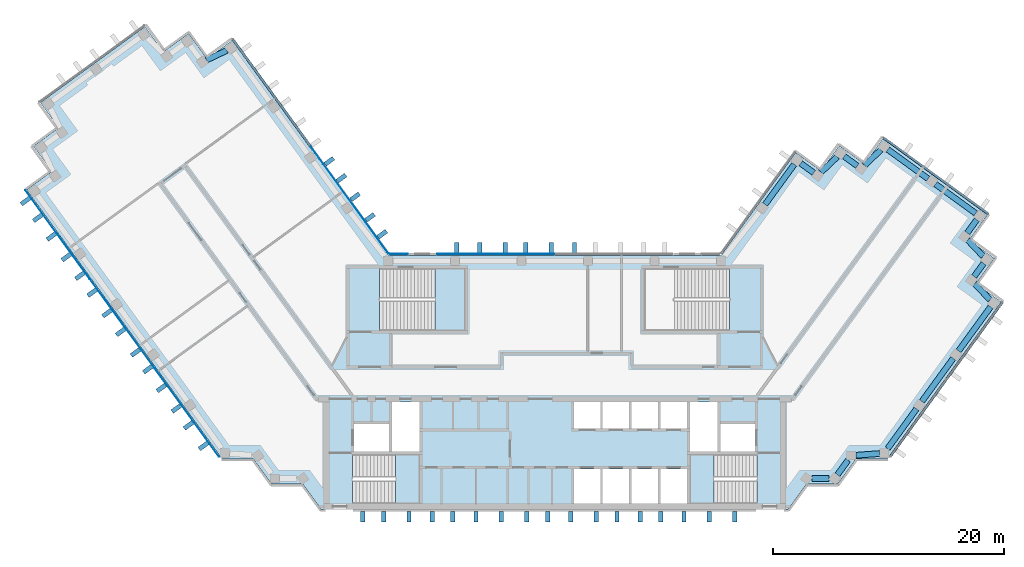
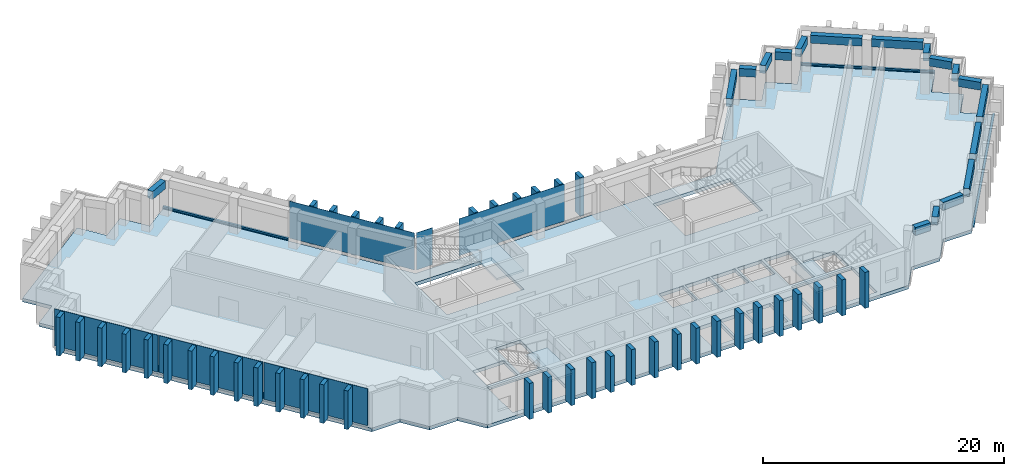
"""IFC4 building model written with IfcOpenShell, lengths in metres."""

from ifc_helpers import new_model, si_unit, direction, frame, origin, origin_2d, place, context, subcontext, project, spatial, polyline, rectangle, outline, extrude, material, layer, layer_set, material_profile, profile_set, type_object, element, aggregate, save


model = new_model("IFC4")

# Units and contexts
model_context = context("Model", 3, precision=1e-05, world=origin(), true_north=direction((0.0, 1.0)))
body_context = subcontext(model_context, "Body", "Model", "MODEL_VIEW")
ifc_project = project(units=[si_unit("LENGTHUNIT", "METRE"), si_unit("AREAUNIT", "SQUARE_METRE"), si_unit("VOLUMEUNIT", "CUBIC_METRE"), si_unit("PLANEANGLEUNIT", "RADIAN"), si_unit("MASSUNIT", "GRAM", prefix="KILO")], contexts=[model_context])

# Site, building, storey
site_placement = place(None, origin())
site = spatial("IfcSite", under=ifc_project, at=site_placement, CompositionType="ELEMENT")
building_placement = place(site_placement, origin())
building = spatial("IfcBuilding", under=site, at=building_placement, Name="Quipu Civic Tower", CompositionType="ELEMENT")
storey_1_placement = place(building_placement, frame((0.0, 0.0, 218.0)))
storey_1 = spatial("IfcBuildingStorey", under=building, at=storey_1_placement, Name="L51", CompositionType="ELEMENT", Elevation=218.0)

# Beams
ifc_material_1 = material(Name="Concrete C50/60", Category="concrete")
ifc_material_profile_1 = material_profile(ifc_material_1, rectangle(XDim=0.5, YDim=0.800048828125, at=origin_2d()), Name="RC500x800")
ifc_profile_set_1 = profile_set([ifc_material_profile_1], Name="Concrete C50/60")
beam_type = type_object("IfcBeamType", Name="Spandrel beam RC 500x800 C50/60", PredefinedType="SPANDREL", material=ifc_profile_set_1)
beam_1_placement = place(storey_1_placement, frame((-28.38720703125, 28.72998046875, 3.25), z_axis=(-0.902584802379, -0.430512107279, 0.0), x_axis=(0.430512107279, -0.902584802379, 0.0)))
element("IfcBeam", 1, at=beam_1_placement, inside=storey_1, type_object=beam_type, Name="Spandrel beam L51 T-Wi.0-W34 to T-Wi.1-W34", PredefinedType="SPANDREL", context=body_context, shape_type="SweptSolid", body=[
    extrude(rectangle(XDim=0.5, YDim=0.800048828125, at=origin_2d()), origin(), (0.0, 0.0, 1.0), 1.9326171875),
])
beam_2_placement = place(storey_1_placement, frame((22.2861328125, -8.31494140625, 3.25), z_axis=(1.0, 0.0, 0.0), x_axis=(0.0, 1.0, 0.0)))
element("IfcBeam", 2, at=beam_2_placement, inside=storey_1, type_object=beam_type, Name="Spandrel beam L51 J-Eo.1 to J-Eo.2", PredefinedType="SPANDREL", context=body_context, shape_type="SweptSolid", body=[
    extrude(rectangle(XDim=0.5, YDim=0.800048828125, at=origin_2d()), origin(), (0.0, 0.0, 1.0), 1.454345703125),
])
beam_3_placement = place(storey_1_placement, frame((24.470458984375, -7.991455078125, 3.25), z_axis=(0.588405601119, 0.808565920981, 0.0), x_axis=(-0.808565920981, 0.588405601119, 0.0)))
element("IfcBeam", 3, at=beam_3_placement, inside=storey_1, type_object=beam_type, Name="Spandrel beam L51 J-Eo.2 to J-Eo.3", PredefinedType="SPANDREL", context=body_context, shape_type="SweptSolid", body=[
    extrude(rectangle(XDim=0.5, YDim=0.800048828125, at=origin_2d()), origin(), (0.0, 0.0, 1.0), 1.55126953125),
])
beam_4_placement = place(storey_1_placement, frame((26.074462890625, -6.307861328125, 3.25), z_axis=(0.997372997143, 0.072436900614, 0.0), x_axis=(-0.072436900614, 0.997372997143, 0.0)))
element("IfcBeam", 4, at=beam_4_placement, inside=storey_1, type_object=beam_type, Name="Spandrel beam L51 J-Eo.3 to J-Eo.4", PredefinedType="SPANDREL", context=body_context, shape_type="SweptSolid", body=[
    extrude(rectangle(XDim=0.5, YDim=0.800048828125, at=origin_2d()), origin(), (0.0, 0.0, 1.0), 2.055908203125),
])
beam_5_placement = place(storey_1_placement, frame((28.815673828125, -5.72998046875, 3.25), z_axis=(0.58776850526, 0.809029161541, 0.0), x_axis=(-0.809029161541, 0.58776850526, 0.0)))
element("IfcBeam", 5, at=beam_5_placement, inside=storey_1, type_object=beam_type, Name="Spandrel beam L51 J-Eo.4 to E-OUT-01", PredefinedType="SPANDREL", context=body_context, shape_type="SweptSolid", body=[
    extrude(rectangle(XDim=0.5, YDim=0.800048828125, at=origin_2d()), origin(), (0.0, 0.0, 1.0), 4.249267578125),
])
beam_6_placement = place(storey_1_placement, frame((31.783447265625, -1.64501953125, 3.25), z_axis=(0.587796098864, 0.809009113768, 0.0), x_axis=(-0.809009113768, 0.587796098864, 0.0)))
element("IfcBeam", 6, at=beam_6_placement, inside=storey_1, type_object=beam_type, Name="Spandrel beam L51 E-OUT-01 to E-OUT-02", PredefinedType="SPANDREL", context=body_context, shape_type="SweptSolid", body=[
    extrude(rectangle(XDim=0.5, YDim=0.800048828125, at=origin_2d()), origin(), (0.0, 0.0, 1.0), 4.60009765625),
])
beam_7_placement = place(storey_1_placement, frame((34.95751953125, 2.7236328125, 3.25), z_axis=(0.587891029962, 0.808940131833, 0.0), x_axis=(-0.808940131833, 0.587891029962, 0.0)))
element("IfcBeam", 7, at=beam_7_placement, inside=storey_1, type_object=beam_type, Name="Spandrel beam L51 E-OUT-02 to T-Eo.0-E22", PredefinedType="SPANDREL", context=body_context, shape_type="SweptSolid", body=[
    extrude(rectangle(XDim=0.5, YDim=0.800048828125, at=origin_2d()), origin(), (0.0, 0.0, 1.0), 4.707275390625),
])
beam_8_placement = place(storey_1_placement, frame((37.6796875, 7.149658203125, 3.25), z_axis=(-0.689191109061, 0.724579612735, 0.0), x_axis=(-0.724579612735, -0.689191109061, 0.0)))
element("IfcBeam", 8, at=beam_8_placement, inside=storey_1, type_object=beam_type, Name="Spandrel beam L51 T-Eo.0-E22 to T-Eo.1-E22", PredefinedType="SPANDREL", context=body_context, shape_type="SweptSolid", body=[
    extrude(rectangle(XDim=0.5, YDim=0.800048828125, at=origin_2d()), origin(), (0.0, 0.0, 1.0), 1.931640625),
])
beam_9_placement = place(storey_1_placement, frame((36.302978515625, 9.16796875, 3.25), z_axis=(0.58725897397, 0.809399096547, 0.0), x_axis=(-0.809399096547, 0.58725897397, 0.0)))
element("IfcBeam", 9, at=beam_9_placement, inside=storey_1, type_object=beam_type, Name="Spandrel beam L51 T-Eo.1-E22 to T-Eo.2-E22", PredefinedType="SPANDREL", context=body_context, shape_type="SweptSolid", body=[
    extrude(rectangle(XDim=0.5, YDim=0.800048828125, at=origin_2d()), origin(), (0.0, 0.0, 1.0), 1.400146484375),
])
beam_10_placement = place(storey_1_placement, frame((37.080078125, 10.920166015625, 3.25), z_axis=(-0.688280901551, 0.725444278053, 0.0), x_axis=(-0.725444278053, -0.688280901551, 0.0)))
element("IfcBeam", 10, at=beam_10_placement, inside=storey_1, type_object=beam_type, Name="Spandrel beam L51 T-Eo.2-E22 to T-Eo.3-E22", PredefinedType="SPANDREL", context=body_context, shape_type="SweptSolid", body=[
    extrude(rectangle(XDim=0.5, YDim=0.800048828125, at=origin_2d()), origin(), (0.0, 0.0, 1.0), 1.931396484375),
])
beam_11_placement = place(storey_1_placement, frame((35.7060546875, 12.93994140625, 3.25), z_axis=(0.58841024035, 0.808562544922, 0.0), x_axis=(-0.808562544922, 0.58841024035, 0.0)))
element("IfcBeam", 11, at=beam_11_placement, inside=storey_1, type_object=beam_type, Name="Spandrel beam L51 T-Eo.3-E22 to T-Eo.4-E22", PredefinedType="SPANDREL", context=body_context, shape_type="SweptSolid", body=[
    extrude(rectangle(XDim=0.5, YDim=0.800048828125, at=origin_2d()), origin(), (0.0, 0.0, 1.0), 1.3994140625),
])
beam_12_placement = place(storey_1_placement, frame((36.44140625, 14.630126953125, 3.25), z_axis=(-0.809153076016, 0.587597906373, 0.0), x_axis=(-0.587597906373, -0.809153076016, 0.0)))
element("IfcBeam", 12, at=beam_12_placement, inside=storey_1, type_object=beam_type, Name="Spandrel beam L51 T-Eo.4-E22 to TIP-E-01-E22", PredefinedType="SPANDREL", context=body_context, shape_type="SweptSolid", body=[
    extrude(rectangle(XDim=0.5, YDim=0.800048828125, at=origin_2d()), origin(), (0.0, 0.0, 1.0), 4.302001953125),
])
beam_13_placement = place(storey_1_placement, frame((32.313232421875, 17.6279296875, 3.25), z_axis=(-0.80911644178, 0.587648350327, 0.0), x_axis=(-0.587648350327, -0.80911644178, 0.0)))
element("IfcBeam", 13, at=beam_13_placement, inside=storey_1, type_object=beam_type, Name="Spandrel beam L51 TIP-E-01-E22 to T-Ei.0-E22", PredefinedType="SPANDREL", context=body_context, shape_type="SweptSolid", body=[
    extrude(rectangle(XDim=0.5, YDim=0.800048828125, at=origin_2d()), origin(), (0.0, 0.0, 1.0), 4.30029296875),
])
beam_14_placement = place(storey_1_placement, frame((28.21484375, 20.10986328125, 3.25), z_axis=(-0.725384387405, -0.688344020464, 0.0), x_axis=(0.688344020464, -0.725384387405, 0.0)))
element("IfcBeam", 14, at=beam_14_placement, inside=storey_1, type_object=beam_type, Name="Spandrel beam L51 T-Ei.0-E22 to T-Ei.1-E22", PredefinedType="SPANDREL", context=body_context, shape_type="SweptSolid", body=[
    extrude(rectangle(XDim=0.5, YDim=0.800048828125, at=origin_2d()), origin(), (0.0, 0.0, 1.0), 1.93115234375),
])
beam_15_placement = place(storey_1_placement, frame((26.195556640625, 18.73583984375, 3.25), z_axis=(-0.808600329101, 0.588358315805, 0.0), x_axis=(-0.588358315805, -0.808600329101, 0.0)))
element("IfcBeam", 15, at=beam_15_placement, inside=storey_1, type_object=beam_type, Name="Spandrel beam L51 T-Ei.1-E22 to T-Ei.2-E22", PredefinedType="SPANDREL", context=body_context, shape_type="SweptSolid", body=[
    extrude(rectangle(XDim=0.5, YDim=0.800048828125, at=origin_2d()), origin(), (0.0, 0.0, 1.0), 1.400146484375),
])
beam_16_placement = place(storey_1_placement, frame((24.445068359375, 19.514892578125, 3.25), z_axis=(-0.72506883804, -0.688676397232, 0.0), x_axis=(0.688676397232, -0.72506883804, 0.0)))
element("IfcBeam", 16, at=beam_16_placement, inside=storey_1, type_object=beam_type, Name="Spandrel beam L51 T-Ei.2-E22 to T-Ei.3-E22", PredefinedType="SPANDREL", context=body_context, shape_type="SweptSolid", body=[
    extrude(rectangle(XDim=0.5, YDim=0.800048828125, at=origin_2d()), origin(), (0.0, 0.0, 1.0), 1.93212890625),
])
beam_17_placement = place(storey_1_placement, frame((22.425537109375, 18.13916015625, 3.25), z_axis=(-0.809452764948, 0.587184997524, 0.0), x_axis=(-0.587184997524, -0.809452764948, 0.0)))
element("IfcBeam", 17, at=beam_17_placement, inside=storey_1, type_object=beam_type, Name="Spandrel beam L51 T-Ei.3-E22 to T-Ei.4-E22", PredefinedType="SPANDREL", context=body_context, shape_type="SweptSolid", body=[
    extrude(rectangle(XDim=0.5, YDim=0.800048828125, at=origin_2d()), origin(), (0.0, 0.0, 1.0), 1.398193359375),
])
beam_18_placement = place(storey_1_placement, frame((20.734619140625, 18.87158203125, 3.25), z_axis=(-0.58812775221, -0.808768042816, 0.0), x_axis=(0.808768042816, -0.58812775221, 0.0)))
element("IfcBeam", 18, at=beam_18_placement, inside=storey_1, type_object=beam_type, Name="Spandrel beam L51 T-Ei.4-E22 to E-IN-01", PredefinedType="SPANDREL", context=body_context, shape_type="SweptSolid", body=[
    extrude(rectangle(XDim=0.5, YDim=0.800048828125, at=origin_2d()), origin(), (0.0, 0.0, 1.0), 4.29443359375),
])

# Storey
storey_2_placement = place(building_placement, frame((0.0, 0.0, 210.0)))
storey_2 = spatial("IfcBuildingStorey", under=building, at=storey_2_placement, Name="L49", CompositionType="ELEMENT", Elevation=210.0)

# Curtain wall, member
ifc_material_2 = material(Name="Insulated glass unit", Category="glass")
curtain_wall_type = type_object("IfcCurtainWallType", Name="Office curtain wall CW1", PredefinedType="NOTDEFINED", material=ifc_material_2)
curtain_wall_1_placement = place(storey_2_placement, origin())
curtain_wall_1 = element("IfcCurtainWall", 19, at=curtain_wall_1_placement, inside=storey_2, type_object=curtain_wall_type, Name="Office curtain wall CW1 L48 run 8", PredefinedType="NOTDEFINED")
ifc_material_3 = material(Name="Anodised aluminium", Category="aluminium")
ifc_material_profile_2 = material_profile(ifc_material_3, rectangle(XDim=0.199951171875, YDim=0.159912109375, at=origin_2d()), Name="RECT 200x160")
ifc_profile_set_2 = profile_set([ifc_material_profile_2], Name="Anodised aluminium")
member_type = type_object("IfcMemberType", Name="Transom CW1", PredefinedType="USERDEFINED", material=ifc_profile_set_2)
member_1_placement = place(storey_1_placement, frame((-21.140380859375, 20.453857421875, 0.0), z_axis=(-0.587775682251, 0.809023947331, 0.0), x_axis=(-0.809023947331, -0.587775682251, 0.0)))
member_1 = element("IfcMember", 20, at=member_1_placement, inside=storey_1, type_object=member_type, Name="CW1 transom 2.4", ObjectType="TRANSOM", PredefinedType="USERDEFINED", context=body_context, shape_type="SweptSolid", body=[
    extrude(rectangle(XDim=0.199951171875, YDim=0.159912109375, at=origin_2d()), origin(), (0.0, 0.0, 1.0), 11.402099609375),
])
aggregate(curtain_wall_1, [member_1])

curtain_wall_2_placement = place(storey_2_placement, origin())
curtain_wall_2 = element("IfcCurtainWall", 21, at=curtain_wall_2_placement, inside=storey_2, type_object=curtain_wall_type, Name="Office curtain wall CW1 L48 run 28", PredefinedType="NOTDEFINED")
member_2_placement = place(storey_1_placement, frame((37.536865234375, 14.575927734375, 0.0), z_axis=(-0.809022463805, 0.587777724194, 0.0), x_axis=(-0.587777724194, -0.809022463805, 0.0)))
member_2 = element("IfcMember", 22, at=member_2_placement, inside=storey_1, type_object=member_type, Name="CW1 transom 1.4", ObjectType="TRANSOM", PredefinedType="USERDEFINED", context=body_context, shape_type="SweptSolid", body=[
    extrude(rectangle(XDim=0.199951171875, YDim=0.159912109375, at=origin_2d()), origin(), (0.0, 0.0, 1.0), 11.240234375),
])
aggregate(curtain_wall_2, [member_2])

# Storey
storey_3_placement = place(building_placement, frame((0.0, 0.0, 214.0)))
storey_3 = spatial("IfcBuildingStorey", under=building, at=storey_3_placement, Name="L50", CompositionType="ELEMENT", Elevation=214.0)

# Curtain wall, members
curtain_wall_3_placement = place(storey_3_placement, origin())
curtain_wall_3 = element("IfcCurtainWall", 23, at=curtain_wall_3_placement, inside=storey_3, type_object=curtain_wall_type, Name="Office curtain wall CW1 L49 run 4", PredefinedType="NOTDEFINED")
member_3_placement = place(storey_1_placement, frame((29.052978515625, -6.424072265625, 0.080078125), z_axis=(0.587780770372, 0.809020250662, 0.0), x_axis=(-0.809020250662, 0.587780770372, 0.0)))
member_3 = element("IfcMember", 24, at=member_3_placement, inside=storey_1, type_object=member_type, Name="CW1 transom 1.3", ObjectType="TRANSOM", PredefinedType="USERDEFINED", context=body_context, shape_type="SweptSolid", body=[
    extrude(rectangle(XDim=0.199951171875, YDim=0.159912109375, at=origin_2d()), origin(), (0.0, 0.0, 1.0), 8.2080078125),
])
member_4_placement = place(storey_1_placement, frame((33.924560546875, 0.281005859375, 0.080078125), z_axis=(0.587780770372, 0.809020250662, 0.0), x_axis=(-0.809020250662, 0.587780770372, 0.0)))
member_4 = element("IfcMember", 25, at=member_4_placement, inside=storey_1, type_object=member_type, Name="CW1 transom 2.3", ObjectType="TRANSOM", PredefinedType="USERDEFINED", context=body_context, shape_type="SweptSolid", body=[
    extrude(rectangle(XDim=0.199951171875, YDim=0.159912109375, at=origin_2d()), origin(), (0.0, 0.0, 1.0), 8.2080078125),
])
aggregate(curtain_wall_3, [member_3, member_4])

# Storey
storey_4_placement = place(building_placement, frame((0.0, 0.0, 222.0)))
storey_4 = spatial("IfcBuildingStorey", under=building, at=storey_4_placement, Name="L52", CompositionType="ELEMENT", Elevation=222.0)

# Curtain wall, member
curtain_wall_4_placement = place(storey_4_placement, origin())
curtain_wall_4 = element("IfcCurtainWall", 26, at=curtain_wall_4_placement, inside=storey_4, type_object=curtain_wall_type, Name="Office curtain wall CW1 L51 run 1", PredefinedType="NOTDEFINED")
member_5_placement = place(storey_1_placement, frame((-21.140380859375, 20.453857421875, 0.159912109375), z_axis=(-0.587775682251, 0.809023947331, 0.0), x_axis=(-0.809023947331, -0.587775682251, 0.0)))
member_5 = element("IfcMember", 27, at=member_5_placement, inside=storey_1, type_object=member_type, Name="CW1 transom 2.1", ObjectType="TRANSOM", PredefinedType="USERDEFINED", context=body_context, shape_type="SweptSolid", body=[
    extrude(rectangle(XDim=0.199951171875, YDim=0.159912109375, at=origin_2d()), origin(), (0.0, 0.0, 1.0), 11.402099609375),
])

curtain_wall_5_placement = place(storey_4_placement, origin())
curtain_wall_5 = element("IfcCurtainWall", 28, at=curtain_wall_5_placement, inside=storey_4, type_object=curtain_wall_type, Name="Office curtain wall CW1 L51 run 21", PredefinedType="NOTDEFINED")
member_6_placement = place(storey_1_placement, frame((37.536865234375, 14.575927734375, 0.159912109375), z_axis=(-0.809022463805, 0.587777724194, 0.0), x_axis=(-0.587777724194, -0.809022463805, 0.0)))
member_6 = element("IfcMember", 29, at=member_6_placement, inside=storey_1, type_object=member_type, Name="CW1 transom 1.1", ObjectType="TRANSOM", PredefinedType="USERDEFINED", context=body_context, shape_type="SweptSolid", body=[
    extrude(rectangle(XDim=0.199951171875, YDim=0.159912109375, at=origin_2d()), origin(), (0.0, 0.0, 1.0), 11.240234375),
])
aggregate(curtain_wall_5, [member_6])

# Slab
ifc_material_4 = material(Name="Concrete C40/50", Category="concrete")
ifc_layer_1 = layer(ifc_material_4, 0.35009765625)
ifc_layer_set_1 = layer_set([ifc_layer_1], Name="Concrete C40/50")
slab_type_1 = type_object("IfcSlabType", Name="Floor slab 350 C40/50", PredefinedType="FLOOR", material=ifc_layer_set_1)
slab_1_placement = place(storey_1_placement, frame((0.0, 0.0, -0.35009765625)))
element("IfcSlab", 30, at=slab_1_placement, inside=storey_1, type_object=slab_type_1, Name="Floor slab L51", PredefinedType="FLOOR", context=body_context, shape_type="SweptSolid", body=[
    extrude(outline(polyline([(20.860107421875, 19.89501953125), (23.0400390625, 18.31005859375), (24.6298828125, 20.4951171875), (26.81494140625, 18.905029296875), (28.39990234375, 21.090087890625), (37.4599609375, 14.5048828125), (35.875, 12.320068359375), (38.06005859375, 10.735107421875), (36.469970703125, 8.550048828125), (38.655029296875, 6.965087890625), (28.780029296875, -6.6298828125), (26.080078125, -6.6298828125), (24.489990234375, -8.81494140625), (21.7900390625, -8.81494140625), (20.205078125, -11.0), (-20.205078125, -11.0), (-21.7900390625, -8.81494140625), (-24.489990234375, -8.81494140625), (-26.080078125, -6.6298828125), (-28.780029296875, -6.6298828125), (-45.7099609375, 16.669921875), (-43.52490234375, 18.260009765625), (-45.114990234375, 20.445068359375), (-42.929931640625, 22.030029296875), (-44.514892578125, 24.215087890625), (-35.455078125, 30.800048828125), (-33.864990234375, 28.614990234375), (-31.68505859375, 30.199951171875), (-30.094970703125, 28.014892578125), (-27.909912109375, 29.60498046875), (-14.39501953125, 11.0), (14.39501953125, 11.0), (20.860107421875, 19.89501953125)]), holes=[polyline([(1.64990234375, -7.5), (1.64990234375, -10.5), (3.949951171875, -10.5), (3.949951171875, -7.5), (1.64990234375, -7.5)]), polyline([(4.14990234375, -7.5), (4.14990234375, -10.5), (6.449951171875, -10.5), (6.449951171875, -7.5), (4.14990234375, -7.5)]), polyline([(-11.705078125, -6.2548828125), (-17.4951171875, -6.2548828125), (-17.4951171875, -10.4951171875), (-11.705078125, -10.4951171875), (-11.705078125, -6.2548828125)]), polyline([(-17.35009765625, -3.60009765625), (-17.35009765625, -6.0), (-14.35009765625, -6.0), (-14.35009765625, -3.60009765625), (-17.35009765625, -3.60009765625)]), polyline([(-14.10009765625, -1.699951171875), (-14.10009765625, -6.0), (-11.699951171875, -6.0), (-11.699951171875, -1.699951171875), (-14.10009765625, -1.699951171875)]), polyline([(1.64990234375, -1.699951171875), (1.64990234375, -4.0), (3.949951171875, -4.0), (3.949951171875, -1.699951171875), (1.64990234375, -1.699951171875)]), polyline([(4.14990234375, -1.699951171875), (4.14990234375, -4.0), (6.449951171875, -4.0), (6.449951171875, -1.699951171875), (4.14990234375, -1.699951171875)]), polyline([(-7.7548828125, 9.844970703125), (-15.14501953125, 9.844970703125), (-15.14501953125, 4.5048828125), (-7.7548828125, 4.5048828125), (-7.7548828125, 9.844970703125)]), polyline([(6.64990234375, -7.5), (6.64990234375, -10.5), (8.949951171875, -10.5), (8.949951171875, -7.5), (6.64990234375, -7.5)]), polyline([(9.14990234375, -7.5), (9.14990234375, -10.5), (11.449951171875, -10.5), (11.449951171875, -7.5), (9.14990234375, -7.5)]), polyline([(11.705078125, -10.4951171875), (17.4951171875, -10.4951171875), (17.4951171875, -6.2548828125), (11.705078125, -6.2548828125), (11.705078125, -10.4951171875)]), polyline([(14.35009765625, -3.60009765625), (14.35009765625, -6.0), (17.35009765625, -6.0), (17.35009765625, -3.60009765625), (14.35009765625, -3.60009765625)]), polyline([(11.699951171875, -1.699951171875), (11.699951171875, -6.0), (14.10009765625, -6.0), (14.10009765625, -1.699951171875), (11.699951171875, -1.699951171875)]), polyline([(6.64990234375, -1.699951171875), (6.64990234375, -4.0), (8.949951171875, -4.0), (8.949951171875, -1.699951171875), (6.64990234375, -1.699951171875)]), polyline([(9.14990234375, -1.699951171875), (9.14990234375, -4.0), (11.449951171875, -4.0), (11.449951171875, -1.699951171875), (9.14990234375, -1.699951171875)]), polyline([(7.7548828125, 4.5048828125), (15.14501953125, 4.5048828125), (15.14501953125, 9.844970703125), (7.7548828125, 9.844970703125), (7.7548828125, 4.5048828125)])]), origin(), (0.0, 0.0, 1.0), 0.35009765625),
])

# Plate
ifc_material_5 = material(Name="Insulated glass unit", Category="glass")
ifc_layer_2 = layer(ifc_material_5, 0.028076171875)
ifc_layer_set_2 = layer_set([ifc_layer_2], Name="Insulated glass unit")
plate_type_1 = type_object("IfcPlateType", Name="Glass panel CW1", PredefinedType="CURTAIN_PANEL", material=ifc_layer_set_2)
plate_1_placement = place(storey_1_placement, frame((-17.7421875, 15.777099609375, 0.240234375), z_axis=(0.0, 0.0, 1.0), x_axis=(-0.587788727052, 0.809014469803, 0.0)))
plate_1 = element("IfcPlate", 31, at=plate_1_placement, inside=storey_1, type_object=plate_type_1, Name="CW1 panel 1.1", PredefinedType="CURTAIN_PANEL", context=body_context, shape_type="SweptSolid", body=[
    extrude(rectangle(XDim=11.402099609375, YDim=0.028076171875, at=origin_2d()), origin(), (0.0, 0.0, 1.0), 3.760009765625),
])

aggregate(curtain_wall_4, [plate_1, member_5])

# Curtain wall, plates
curtain_wall_6_placement = place(storey_4_placement, origin())
curtain_wall_6 = element("IfcCurtainWall", 32, at=curtain_wall_6_placement, inside=storey_4, type_object=curtain_wall_type, Name="Office curtain wall CW1 L51 run 11", PredefinedType="NOTDEFINED")
plate_2_placement = place(storey_1_placement, frame((-43.030517578125, 12.814208984375, 0.240234375), z_axis=(0.0, 0.0, 1.0), x_axis=(0.5877856923, -0.80901667469, 0.0)))
plate_2 = element("IfcPlate", 33, at=plate_2_placement, inside=storey_1, type_object=plate_type_1, Name="CW1 panel 1.1", PredefinedType="CURTAIN_PANEL", context=body_context, shape_type="SweptSolid", body=[
    extrude(rectangle(XDim=9.43212890625, YDim=0.028076171875, at=origin_2d()), origin(), (0.0, 0.0, 1.0), 3.760009765625),
])
plate_3_placement = place(storey_1_placement, frame((-37.427734375, 5.102783203125, 0.240234375), z_axis=(0.0, 0.0, 1.0), x_axis=(0.5877856923, -0.80901667469, 0.0)))
plate_3 = element("IfcPlate", 34, at=plate_3_placement, inside=storey_1, type_object=plate_type_1, Name="CW1 panel 2.1", PredefinedType="CURTAIN_PANEL", context=body_context, shape_type="SweptSolid", body=[
    extrude(rectangle(XDim=9.471923828125, YDim=0.028076171875, at=origin_2d()), origin(), (0.0, 0.0, 1.0), 3.760009765625),
])
plate_4_placement = place(storey_1_placement, frame((-31.824951171875, -2.60888671875, 0.240234375), z_axis=(0.0, 0.0, 1.0), x_axis=(0.5877856923, -0.80901667469, 0.0)))
plate_4 = element("IfcPlate", 35, at=plate_4_placement, inside=storey_1, type_object=plate_type_1, Name="CW1 panel 3.1", PredefinedType="CURTAIN_PANEL", context=body_context, shape_type="SweptSolid", body=[
    extrude(rectangle(XDim=9.43212890625, YDim=0.028076171875, at=origin_2d()), origin(), (0.0, 0.0, 1.0), 3.760009765625),
])
aggregate(curtain_wall_6, [plate_2, plate_3, plate_4])

# Curtain wall, plate
curtain_wall_7_placement = place(storey_4_placement, origin())
curtain_wall_7 = element("IfcCurtainWall", 36, at=curtain_wall_7_placement, inside=storey_4, type_object=curtain_wall_type, Name="Office curtain wall CW1 L51 run 29", PredefinedType="NOTDEFINED")
plate_5_placement = place(storey_1_placement, frame((-5.11181640625, 11.10009765625, 0.240234375), z_axis=(0.0, 0.0, 1.0), x_axis=(-1.0, 0.0, 0.0)))
plate_5 = element("IfcPlate", 37, at=plate_5_placement, inside=storey_1, type_object=plate_type_1, Name="CW1 panel 2.1", PredefinedType="CURTAIN_PANEL", context=body_context, shape_type="SweptSolid", body=[
    extrude(rectangle(XDim=10.1435546875, YDim=0.028076171875, at=origin_2d()), origin(), (0.0, 0.0, 1.0), 3.760009765625),
])
aggregate(curtain_wall_7, [plate_5])

curtain_wall_8_placement = place(storey_4_placement, origin())
curtain_wall_8 = element("IfcCurtainWall", 38, at=curtain_wall_8_placement, inside=storey_4, type_object=curtain_wall_type, Name="Office curtain wall CW1 L51 run 31", PredefinedType="NOTDEFINED")
plate_6_placement = place(storey_1_placement, frame((-13.49951171875, 11.10009765625, 0.240234375), z_axis=(0.0, 0.0, 1.0), x_axis=(-1.0, 0.0, 0.0)))
plate_6 = element("IfcPlate", 39, at=plate_6_placement, inside=storey_1, type_object=plate_type_1, Name="CW1 panel 1.1", PredefinedType="CURTAIN_PANEL", context=body_context, shape_type="SweptSolid", body=[
    extrude(rectangle(XDim=1.529296875, YDim=0.028076171875, at=origin_2d()), origin(), (0.0, 0.0, 1.0), 3.760009765625),
])
aggregate(curtain_wall_8, [plate_6])

# Plates
ifc_material_6 = material(Name="Precast concrete C40/50", Category="concrete")
plate_type_2 = type_object("IfcPlateType", Name="Precast fin F2", PredefinedType="SHEET", material=ifc_material_6)
for number, where, z_axis, x_axis, name in (
    (40, (-14.92138671875, 12.830078125, 0.080078125), (0.0, 0.0, 1.0), (-0.587787133119, 0.809015627871, 0.0), "Precast fin F2 L51.1.1"),
    (41, (-15.9794921875, 14.286376953125, 0.080078125), (0.0, 0.0, 1.0), (-0.587787133119, 0.809015627871, 0.0), "Precast fin F2 L51.1.2"),
    (42, (-17.272705078125, 16.066162109375, 0.080078125), (0.0, 0.0, 1.0), (-0.587787133119, 0.809015627871, 0.0), "Precast fin F2 L51.1.3"),
    (43, (-18.4482421875, 17.684326171875, 0.080078125), (0.0, 0.0, 1.0), (-0.587787133119, 0.809015627871, 0.0), "Precast fin F2 L51.1.4"),
    (44, (-19.506103515625, 19.140625, 0.080078125), (0.0, 0.0, 1.0), (-0.587787133119, 0.809015627871, 0.0), "Precast fin F2 L51.1.5"),
    (45, (-45.80078125, 15.69140625, 0.080078125), (0.0, 0.0, 1.0), (0.587785620359, -0.809016726959, 0.0), "Precast fin F2 L51.11.1"),
    (46, (-44.74267578125, 14.2353515625, 0.080078125), (0.0, 0.0, 1.0), (0.587785620359, -0.809016726959, 0.0), "Precast fin F2 L51.11.2"),
    (47, (-43.567138671875, 12.6171875, 0.080078125), (0.0, 0.0, 1.0), (0.587785620359, -0.809016726959, 0.0), "Precast fin F2 L51.11.3"),
    (48, (-42.27392578125, 10.83740234375, 0.080078125), (0.0, 0.0, 1.0), (0.587785620359, -0.809016726959, 0.0), "Precast fin F2 L51.11.4"),
    (49, (-41.098388671875, 9.21923828125, 0.080078125), (0.0, 0.0, 1.0), (0.587785620359, -0.809016726959, 0.0), "Precast fin F2 L51.11.5"),
    (50, (-40.040283203125, 7.76318359375, 0.080078125), (0.0, 0.0, 1.0), (0.587785620359, -0.809016726959, 0.0), "Precast fin F2 L51.11.6"),
    (51, (-38.747314453125, 5.983154296875, 0.080078125), (0.0, 0.0, 1.0), (0.587785620359, -0.809016726959, 0.0), "Precast fin F2 L51.11.7"),
    (52, (-37.57177734375, 4.365234375, 0.080078125), (0.0, 0.0, 1.0), (0.587785620359, -0.809016726959, 0.0), "Precast fin F2 L51.11.8"),
    (53, (-36.278564453125, 2.58544921875, 0.080078125), (0.0, 0.0, 1.0), (0.587785620359, -0.809016726959, 0.0), "Precast fin F2 L51.11.9"),
    (54, (-35.220458984375, 1.129150390625, 0.080078125), (0.0, 0.0, 1.0), (0.587785620359, -0.809016726959, 0.0), "Precast fin F2 L51.11.10"),
    (55, (-34.044921875, -0.48876953125, 0.080078125), (0.0, 0.0, 1.0), (0.587785620359, -0.809016726959, 0.0), "Precast fin F2 L51.11.11"),
    (56, (-32.751953125, -2.268798828125, 0.080078125), (0.0, 0.0, 1.0), (0.587785620359, -0.809016726959, 0.0), "Precast fin F2 L51.11.12"),
    (57, (-31.69384765625, -3.724853515625, 0.080078125), (0.0, 0.0, 1.0), (0.587785620359, -0.809016726959, 0.0), "Precast fin F2 L51.11.13"),
    (58, (-30.400634765625, -5.5048828125, 0.080078125), (0.0, 0.0, 1.0), (0.587785620359, -0.809016726959, 0.0), "Precast fin F2 L51.11.14"),
):
    element("IfcPlate", number, at=place(storey_1_placement, frame(where, z_axis=z_axis, x_axis=x_axis)), inside=storey_1, type_object=plate_type_2, Name=name, PredefinedType="SHEET", context=body_context, shape_type="SweptSolid", body=[
        extrude(rectangle(XDim=0.3798828125, YDim=0.89990234375, at=origin_2d()), origin(), (0.0, 0.0, 1.0), 3.919921875),
    ])
for number, where, z_axis, x_axis, name in (
    (59, (-16.610107421875, -11.637939453125, 0.0), (0.0, 0.0, 1.0), (1.0, 0.0, 0.0), "Precast fin F2 L51.17.1"),
    (60, (-14.81005859375, -11.637939453125, 0.0), (0.0, 0.0, 1.0), (1.0, 0.0, 0.0), "Precast fin F2 L51.17.2"),
    (61, (-12.610107421875, -11.637939453125, 0.0), (0.0, 0.0, 1.0), (1.0, 0.0, 0.0), "Precast fin F2 L51.17.3"),
    (62, (-10.610107421875, -11.637939453125, 0.0), (0.0, 0.0, 1.0), (1.0, 0.0, 0.0), "Precast fin F2 L51.17.4"),
    (63, (-8.81005859375, -11.637939453125, 0.0), (0.0, 0.0, 1.0), (1.0, 0.0, 0.0), "Precast fin F2 L51.17.5"),
    (64, (-6.81005859375, -11.637939453125, 0.0), (0.0, 0.0, 1.0), (1.0, 0.0, 0.0), "Precast fin F2 L51.17.6"),
    (65, (-4.610107421875, -11.637939453125, 0.0), (0.0, 0.0, 1.0), (1.0, 0.0, 0.0), "Precast fin F2 L51.17.7"),
    (66, (-2.409912109375, -11.637939453125, 0.0), (0.0, 0.0, 1.0), (1.0, 0.0, 0.0), "Precast fin F2 L51.17.8"),
    (67, (-0.610107421875, -11.637939453125, 0.0), (0.0, 0.0, 1.0), (1.0, 0.0, 0.0), "Precast fin F2 L51.17.9"),
    (68, (1.389892578125, -11.637939453125, 0.0), (0.0, 0.0, 1.0), (1.0, 0.0, 0.0), "Precast fin F2 L51.17.10"),
    (69, (3.590087890625, -11.637939453125, 0.0), (0.0, 0.0, 1.0), (1.0, 0.0, 0.0), "Precast fin F2 L51.17.11"),
    (70, (5.389892578125, -11.637939453125, 0.0), (0.0, 0.0, 1.0), (1.0, 0.0, 0.0), "Precast fin F2 L51.17.12"),
    (71, (7.389892578125, -11.637939453125, 0.0), (0.0, 0.0, 1.0), (1.0, 0.0, 0.0), "Precast fin F2 L51.17.13"),
    (72, (9.18994140625, -11.637939453125, 0.0), (0.0, 0.0, 1.0), (1.0, 0.0, 0.0), "Precast fin F2 L51.17.14"),
    (73, (11.18994140625, -11.637939453125, 0.0), (0.0, 0.0, 1.0), (1.0, 0.0, 0.0), "Precast fin F2 L51.17.15"),
    (74, (13.389892578125, -11.637939453125, 0.0), (0.0, 0.0, 1.0), (1.0, 0.0, 0.0), "Precast fin F2 L51.17.16"),
    (75, (15.590087890625, -11.637939453125, 0.0), (0.0, 0.0, 1.0), (1.0, 0.0, 0.0), "Precast fin F2 L51.17.17"),
):
    element("IfcPlate", number, at=place(storey_1_placement, frame(where, z_axis=z_axis, x_axis=x_axis)), inside=storey_1, type_object=plate_type_2, Name=name, PredefinedType="SHEET", context=body_context, shape_type="SweptSolid", body=[
        extrude(rectangle(XDim=0.3798828125, YDim=0.89990234375, at=origin_2d()), origin(), (0.0, 0.0, 1.0), 3.64990234375),
    ])
for number, where, z_axis, x_axis, name in (
    (76, (1.7099609375, 11.64990234375, 0.080078125), (0.0, 0.0, 1.0), (-1.0, 0.0, 0.0), "Precast fin F2 L51.29.5"),
    (77, (-0.2900390625, 11.64990234375, 0.080078125), (0.0, 0.0, 1.0), (-1.0, 0.0, 0.0), "Precast fin F2 L51.29.6"),
    (78, (-2.489990234375, 11.64990234375, 0.080078125), (0.0, 0.0, 1.0), (-1.0, 0.0, 0.0), "Precast fin F2 L51.29.7"),
    (79, (-4.2900390625, 11.64990234375, 0.080078125), (0.0, 0.0, 1.0), (-1.0, 0.0, 0.0), "Precast fin F2 L51.29.8"),
    (80, (-6.489990234375, 11.64990234375, 0.080078125), (0.0, 0.0, 1.0), (-1.0, 0.0, 0.0), "Precast fin F2 L51.29.9"),
    (81, (-8.489990234375, 11.64990234375, 0.080078125), (0.0, 0.0, 1.0), (-1.0, 0.0, 0.0), "Precast fin F2 L51.29.10"),
):
    element("IfcPlate", number, at=place(storey_1_placement, frame(where, z_axis=z_axis, x_axis=x_axis)), inside=storey_1, type_object=plate_type_2, Name=name, PredefinedType="SHEET", context=body_context, shape_type="SweptSolid", body=[
        extrude(rectangle(XDim=0.3798828125, YDim=0.89990234375, at=origin_2d()), origin(), (0.0, 0.0, 1.0), 3.919921875),
    ])

# Stair, slab
ifc_material_7 = material(Name="Concrete C40/50", Category="concrete")
stair_type_1 = type_object("IfcStairType", Name="Half turn stair 2000", PredefinedType="HALF_TURN_STAIR", material=ifc_material_7)
stair_1_placement = place(storey_1_placement, origin())
stair_1 = element("IfcStair", 82, at=stair_1_placement, inside=storey_1, type_object=stair_type_1, Name="Exit stair 1", PredefinedType="HALF_TURN_STAIR")
ifc_material_8 = material(Name="Concrete C40/50", Category="concrete")
ifc_layer_3 = layer(ifc_material_8, 0.199951171875)
ifc_layer_set_3 = layer_set([ifc_layer_3], Name="Concrete C40/50")
slab_type_2 = type_object("IfcSlabType", Name="Stair landing 200", PredefinedType="LANDING", material=ifc_layer_set_3)
slab_2_placement = place(storey_1_placement, frame((0.0, 0.0, 1.800048828125)))
slab_2 = element("IfcSlab", 83, at=slab_2_placement, type_object=slab_type_2, Name="ST-1 landing 1", PredefinedType="LANDING", context=body_context, shape_type="SweptSolid", body=[
    extrude(outline(polyline([(-13.780029296875, -10.5), (-11.699951171875, -10.5), (-11.699951171875, -6.25), (-13.780029296875, -6.25), (-13.780029296875, -10.5)])), origin(), (0.0, 0.0, 1.0), 0.199951171875),
])
aggregate(stair_1, [slab_2])

stair_2_placement = place(storey_1_placement, origin())
stair_2 = element("IfcStair", 84, at=stair_2_placement, inside=storey_1, type_object=stair_type_1, Name="Exit stair 2", PredefinedType="HALF_TURN_STAIR")
slab_3_placement = place(storey_1_placement, frame((0.0, 0.0, 1.800048828125)))
slab_3 = element("IfcSlab", 85, at=slab_3_placement, type_object=slab_type_2, Name="ST-2 landing 1", PredefinedType="LANDING", context=body_context, shape_type="SweptSolid", body=[
    extrude(outline(polyline([(13.780029296875, -6.25), (11.699951171875, -6.25), (11.699951171875, -10.5), (13.780029296875, -10.5), (13.780029296875, -6.25)])), origin(), (0.0, 0.0, 1.0), 0.199951171875),
])
aggregate(stair_2, [slab_3])

ifc_material_9 = material(Name="Concrete C40/50", Category="concrete")
stair_type_2 = type_object("IfcStairType", Name="Half turn stair 2600", PredefinedType="HALF_TURN_STAIR", material=ifc_material_9)
stair_3_placement = place(storey_1_placement, origin())
stair_3 = element("IfcStair", 86, at=stair_3_placement, inside=storey_1, type_object=stair_type_2, Name="Exit stair 3", PredefinedType="HALF_TURN_STAIR")
slab_4_placement = place(storey_1_placement, frame((0.0, 0.0, 1.800048828125)))
slab_4 = element("IfcSlab", 87, at=slab_4_placement, type_object=slab_type_2, Name="ST-3 landing 1", PredefinedType="LANDING", context=body_context, shape_type="SweptSolid", body=[
    extrude(outline(polyline([(-10.35009765625, 4.5), (-7.75, 4.5), (-7.75, 9.85009765625), (-10.35009765625, 9.85009765625), (-10.35009765625, 4.5)])), origin(), (0.0, 0.0, 1.0), 0.199951171875),
])
aggregate(stair_3, [slab_4])

save(model, "model.ifc")
